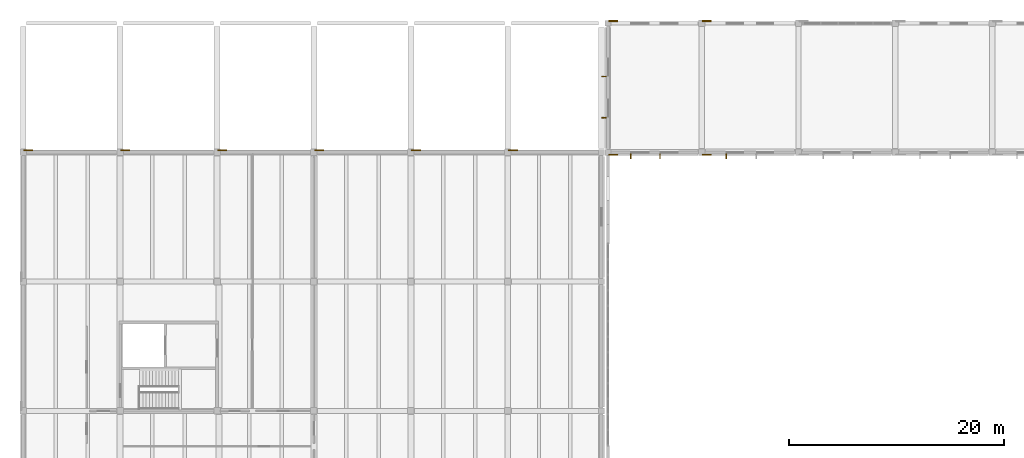
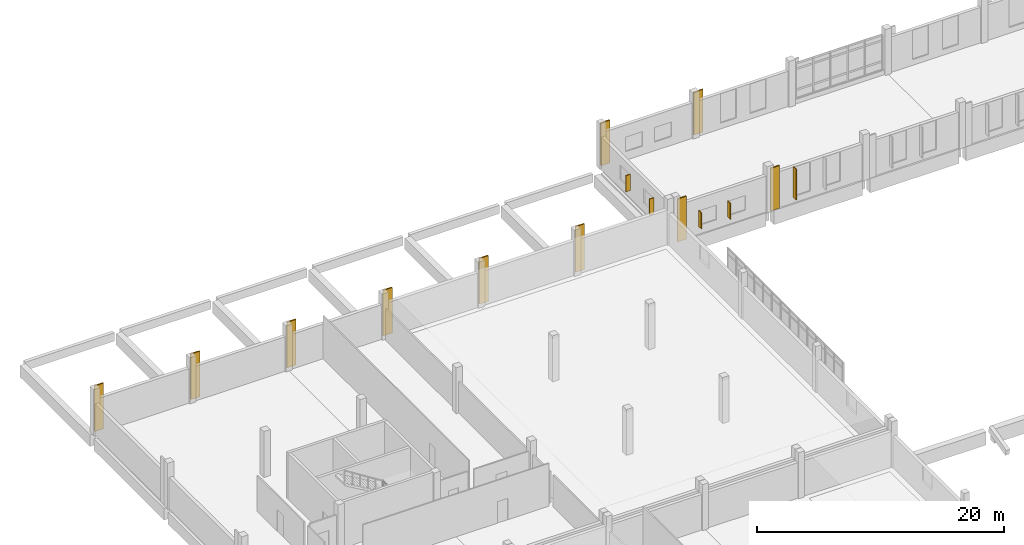
# One storey, part 62 of 63: 10 coverings, 5 shading devices.
"""IFC4 building model written with IfcOpenShell, lengths in metres."""

from ifc_helpers import new_model, si_unit, direction, frame, origin, origin_2d, place, context, subcontext, project, spatial, rectangle, extrude, material, layer, layer_set, type_object, element, save


model = new_model("IFC4")

# Units and contexts
model_context = context("Model", 3, precision=1e-05, world=origin(), true_north=direction((0.0, 1.0)))
body_context = subcontext(model_context, "Body", "Model", "MODEL_VIEW")
ifc_project = project(units=[si_unit("LENGTHUNIT", "METRE"), si_unit("AREAUNIT", "SQUARE_METRE"), si_unit("VOLUMEUNIT", "CUBIC_METRE"), si_unit("PLANEANGLEUNIT", "RADIAN"), si_unit("MASSUNIT", "GRAM", prefix="KILO")], contexts=[model_context])

# Site, building, storey
site_placement = place(None, origin())
site = spatial("IfcSite", under=ifc_project, at=site_placement, CompositionType="ELEMENT")
building_placement = place(site_placement, origin())
building = spatial("IfcBuilding", under=site, at=building_placement, Name="Zacnel Wholesale Market", CompositionType="ELEMENT")
storey_placement = place(building_placement, frame((0.0, 0.0, 11.199951171875)))
storey = spatial("IfcBuildingStorey", under=building, at=storey_placement, Name="L03", CompositionType="ELEMENT", Elevation=11.199951171875)

# Coverings
ifc_material_1 = material(Name="Honed Yucatan Maya cream limestone", Category="masonry")
ifc_layer = layer(ifc_material_1, 0.090087890625)
ifc_layer_set = layer_set([ifc_layer], Name="Honed Yucatan Maya cream limestone")
covering_type = type_object("IfcCoveringType", Name="COV-CLAD-FRET", PredefinedType="CLADDING", material=ifc_layer_set)
for number, where, z_axis, x_axis, name in (
    (1, (18.47998046875, 132.2099609375, 0.02001953125), (0.0, 0.0, 1.0), (1.0, 0.0, 0.0), "Fluted Mayan-Deco limestone pilaster L03-0176"),
    (2, (27.47998046875, 132.2099609375, 0.02001953125), (0.0, 0.0, 1.0), (1.0, 0.0, 0.0), "Fluted Mayan-Deco limestone pilaster L03-0177"),
    (3, (36.47998046875, 132.2099609375, 0.02001953125), (0.0, 0.0, 1.0), (1.0, 0.0, 0.0), "Fluted Mayan-Deco limestone pilaster L03-0178"),
    (4, (45.47998046875, 132.2099609375, 0.02001953125), (0.0, 0.0, 1.0), (1.0, 0.0, 0.0), "Fluted Mayan-Deco limestone pilaster L03-0179"),
    (5, (54.47998046875, 132.2099609375, 0.02001953125), (0.0, 0.0, 1.0), (1.0, 0.0, 0.0), "Fluted Mayan-Deco limestone pilaster L03-0180"),
    (6, (63.47998046875, 132.2099609375, 0.02001953125), (0.0, 0.0, 1.0), (1.0, 0.0, 0.0), "Fluted Mayan-Deco limestone pilaster L03-0181"),
):
    element("IfcCovering", number, at=place(storey_placement, frame(where, z_axis=z_axis, x_axis=x_axis)), inside=storey, type_object=covering_type, Name=name, PredefinedType="CLADDING", context=body_context, shape_type="SweptSolid", body=[
        extrude(rectangle(XDim=0.85009765625, YDim=0.1201171875, at=origin_2d()), origin(), (0.0, 0.0, 1.0), 4.510009765625),
    ])
for number, where, z_axis, x_axis, name in (
    (7, (72.780029296875, 131.7900390625, 0.02001953125), (0.0, 0.0, 1.0), (1.0, 0.0, 0.0), "Fluted Mayan-Deco limestone pilaster L03-0212"),
    (8, (81.47998046875, 131.7900390625, 0.02001953125), (0.0, 0.0, 1.0), (1.0, 0.0, 0.0), "Fluted Mayan-Deco limestone pilaster L03-0213"),
    (9, (72.780029296875, 144.2099609375, 0.02001953125), (0.0, 0.0, 1.0), (1.0, 0.0, 0.0), "Fluted Mayan-Deco limestone pilaster L03-0220"),
    (10, (81.47998046875, 144.2099609375, 0.02001953125), (0.0, 0.0, 1.0), (1.0, 0.0, 0.0), "Fluted Mayan-Deco limestone pilaster L03-0221"),
):
    element("IfcCovering", number, at=place(storey_placement, frame(where, z_axis=z_axis, x_axis=x_axis)), inside=storey, type_object=covering_type, Name=name, PredefinedType="CLADDING", context=body_context, shape_type="SweptSolid", body=[
        extrude(rectangle(XDim=0.85009765625, YDim=0.1201171875, at=origin_2d()), origin(), (0.0, 0.0, 1.0), 4.22998046875),
    ])

# Shading devices
ifc_material_2 = material(Name="Honed Yucatan Maya cream limestone", Category="masonry")
shading_device_type = type_object("IfcShadingDeviceType", Name="SHD-FIN-V450", PredefinedType="USERDEFINED", material=ifc_material_2)
for number, where, z_axis, x_axis, name in (
    (11, (74.423095703125, 131.639892578125, 0.77490234375), (0.0, 0.0, 1.0), (1.0, 0.0, 0.0), "Limestone sunshade fin 0253"),
    (12, (77.132080078125, 131.639892578125, 0.77490234375), (0.0, 0.0, 1.0), (1.0, 0.0, 0.0), "Limestone sunshade fin 0254"),
):
    element("IfcShadingDevice", number, at=place(storey_placement, frame(where, z_axis=z_axis, x_axis=x_axis)), inside=storey, type_object=shading_device_type, Name=name, ObjectType="SUNSHADE", PredefinedType="USERDEFINED", context=body_context, shape_type="SweptSolid", body=[
        extrude(rectangle(XDim=0.080078125, YDim=0.43994140625, at=origin_2d()), origin(), (0.0, 0.0, 1.0), 1.60009765625),
    ])
shading_device_placement = place(storey_placement, frame((83.2900390625, 131.639892578125, 0.53515625), z_axis=(0.0, 0.0, 1.0), x_axis=(1.0, 0.0, 0.0)))
element("IfcShadingDevice", 13, at=shading_device_placement, inside=storey, type_object=shading_device_type, Name="Limestone sunshade fin 0255", ObjectType="SUNSHADE", PredefinedType="USERDEFINED", context=body_context, shape_type="SweptSolid", body=[
    extrude(rectangle(XDim=0.080078125, YDim=0.43994140625, at=origin_2d()), origin(), (0.0, 0.0, 1.0), 3.050048828125),
])
for number, where, z_axis, x_axis, name in (
    (14, (71.93994140625, 135.23193359375, 0.77490234375), (0.0, 0.0, 1.0), (0.0, 1.0, 0.0), "Limestone sunshade fin 0269"),
    (15, (71.93994140625, 139.048095703125, 0.77490234375), (0.0, 0.0, 1.0), (0.0, 1.0, 0.0), "Limestone sunshade fin 0270"),
):
    element("IfcShadingDevice", number, at=place(storey_placement, frame(where, z_axis=z_axis, x_axis=x_axis)), inside=storey, type_object=shading_device_type, Name=name, ObjectType="SUNSHADE", PredefinedType="USERDEFINED", context=body_context, shape_type="SweptSolid", body=[
        extrude(rectangle(XDim=0.080078125, YDim=0.43994140625, at=origin_2d()), origin(), (0.0, 0.0, 1.0), 1.60009765625),
    ])

save(model, "model.ifc")
